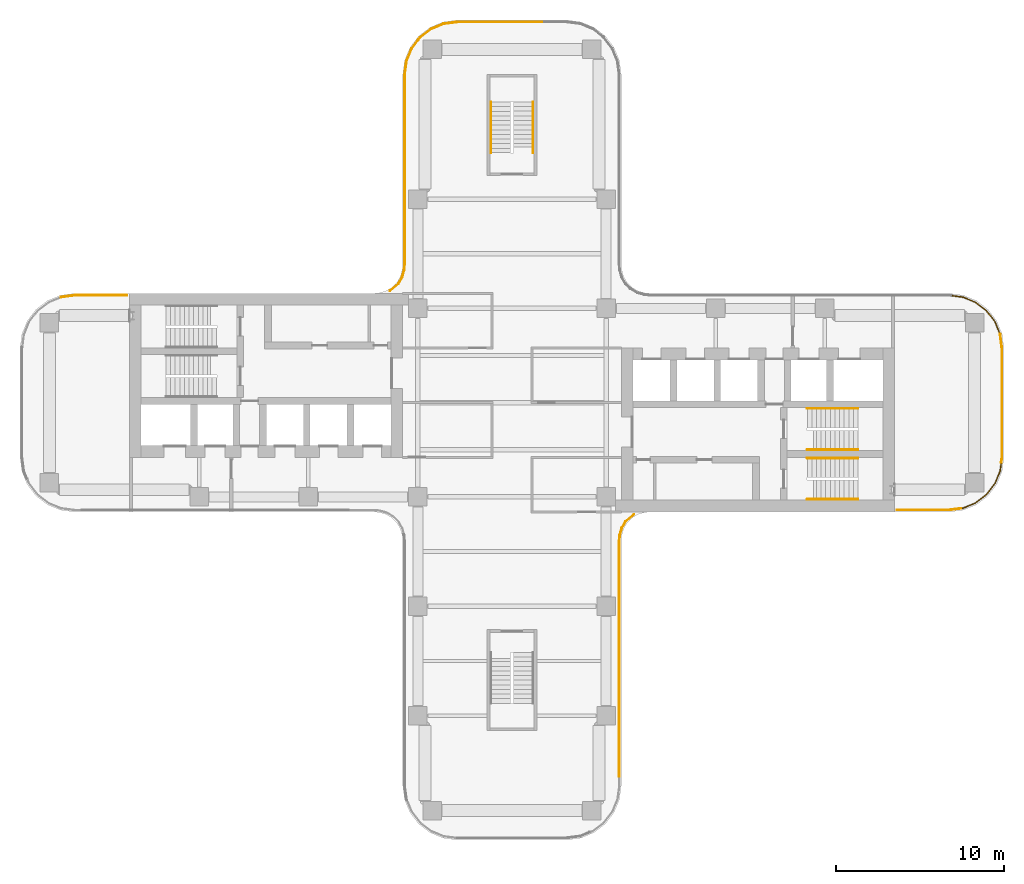
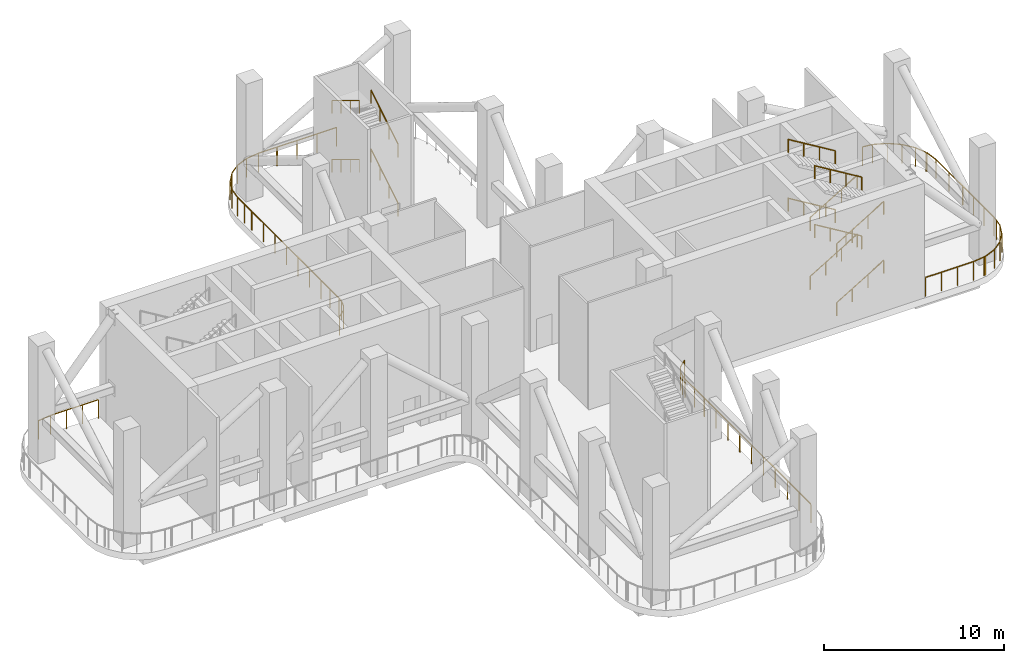
# One storey, part 10 of 11: 28 railings.
"""IFC4 building model written with IfcOpenShell, lengths in metres."""

from ifc_helpers import new_model, si_unit, direction, frame, origin, origin_2d, place, context, subcontext, project, spatial, rectangle, circle, extrude, source, transform, mapped, material, type_object, element, save


model = new_model("IFC4")

# Units and contexts
model_context = context("Model", 3, precision=1e-05, world=origin(), true_north=direction((0.0, 1.0)))
body_context = subcontext(model_context, "Body", "Model", "MODEL_VIEW")
ifc_project = project(units=[si_unit("LENGTHUNIT", "METRE"), si_unit("AREAUNIT", "SQUARE_METRE"), si_unit("VOLUMEUNIT", "CUBIC_METRE"), si_unit("PLANEANGLEUNIT", "RADIAN"), si_unit("MASSUNIT", "GRAM", prefix="KILO")], contexts=[model_context])

# Site, building, storey
site_placement = place(None, origin())
site = spatial("IfcSite", under=ifc_project, at=site_placement, CompositionType="ELEMENT")
building_placement = place(site_placement, origin())
building = spatial("IfcBuilding", under=site, at=building_placement, Name="Trellis Farm Tower", CompositionType="ELEMENT")
storey_placement = place(building_placement, frame((0.0, 0.0, 212.699951171875)))
storey = spatial("IfcBuildingStorey", under=building, at=storey_placement, Name="L47", CompositionType="ELEMENT", Elevation=212.699951171875)

# Railings
ifc_material_1 = material(Name="Stainless steel 316", Category="steel")
railing_type_1 = type_object("IfcRailingType", Name="BALUSTRADE GUARD 1300", PredefinedType="GUARDRAIL", material=ifc_material_1)
railing_1_placement = place(storey_placement, frame((-7.245361328125, 6.64990234375, 0.0)))
element("IfcRailing", 1, at=railing_1_placement, inside=storey, type_object=railing_type_1, Name="GD3 EDGE-1", PredefinedType="GUARDRAIL", context=body_context, shape_type="SweptSolid", body=[
    extrude(rectangle(XDim=0.050048828125, YDim=0.050048828125, at=origin_2d()), frame((0.0, 0.0, 1.27490234375), z_axis=(0.761614428035, 0.648030449138, 0.0), x_axis=(-0.648030449138, 0.761614428035, 0.0)), (0.0, 0.0, 1.0), 0.649169921875),
    extrude(rectangle(XDim=0.050048828125, YDim=0.050048828125, at=origin_2d()), frame((0.494384765625, 0.420654296875, 1.27490234375), z_axis=(0.499971721724, 0.866041729639, 0.0), x_axis=(-0.866041729639, 0.499971721724, 0.0)), (0.0, 0.0, 1.0), 0.4521484375),
    extrude(rectangle(XDim=0.050048828125, YDim=0.050048828125, at=origin_2d()), frame((0.720458984375, 0.812255859375, 1.27490234375), z_axis=(0.258891443638, 0.965906424252, 0.0), x_axis=(-0.965906424252, 0.258891443638, 0.0)), (0.0, 0.0, 1.0), 0.445068359375),
    extrude(rectangle(XDim=0.050048828125, YDim=0.050048828125, at=origin_2d()), frame((0.835693359375, 1.2421875, 1.27490234375), z_axis=(0.088443887633, 0.99608116072, 0.0), x_axis=(-0.99608116072, 0.088443887633, 0.0)), (0.0, 0.0, 1.0), 0.336669921875),
    extrude(rectangle(XDim=0.050048828125, YDim=0.050048828125, at=origin_2d()), frame((0.865478515625, 1.57763671875, 1.27490234375), z_axis=(0.0, 1.0, 0.0), x_axis=(-1.0, 0.0, 0.0)), (0.0, 0.0, 1.0), 1.965576171875),
    extrude(rectangle(XDim=0.0400390625, YDim=0.0400390625, at=origin_2d()), origin(), (0.0, 0.0, 1.0), 1.25),
    extrude(rectangle(XDim=0.0400390625, YDim=0.0400390625, at=origin_2d()), frame((0.494384765625, 0.420654296875, 0.0)), (0.0, 0.0, 1.0), 1.25),
    extrude(rectangle(XDim=0.0400390625, YDim=0.0400390625, at=origin_2d()), frame((0.720458984375, 0.812255859375, 0.0)), (0.0, 0.0, 1.0), 1.25),
    extrude(rectangle(XDim=0.0400390625, YDim=0.0400390625, at=origin_2d()), frame((0.835693359375, 1.2421875, 0.0)), (0.0, 0.0, 1.0), 1.25),
    extrude(rectangle(XDim=0.0400390625, YDim=0.0400390625, at=origin_2d()), frame((0.865478515625, 1.57763671875, 0.0)), (0.0, 0.0, 1.0), 1.25),
    extrude(rectangle(XDim=0.0400390625, YDim=0.0400390625, at=origin_2d()), frame((0.865478515625, 2.560546875, 0.0)), (0.0, 0.0, 1.0), 1.25),
    extrude(rectangle(XDim=0.0400390625, YDim=0.0400390625, at=origin_2d()), frame((0.865478515625, 3.543212890625, 0.0)), (0.0, 0.0, 1.0), 1.25),
])
railing_2_placement = place(storey_placement, frame((-6.3798828125, 14.0869140625, 0.0)))
element("IfcRailing", 2, at=railing_2_placement, inside=storey, type_object=railing_type_1, Name="GD3 EDGE-3", PredefinedType="GUARDRAIL", context=body_context, shape_type="SweptSolid", body=[
    extrude(rectangle(XDim=0.050048828125, YDim=0.050048828125, at=origin_2d()), frame((0.0, 0.0, 1.27490234375), z_axis=(0.0, 1.0, 0.0), x_axis=(-1.0, 0.0, 0.0)), (0.0, 0.0, 1.0), 3.803955078125),
    extrude(rectangle(XDim=0.0400390625, YDim=0.0400390625, at=origin_2d()), origin(), (0.0, 0.0, 1.0), 1.25),
    extrude(rectangle(XDim=0.0400390625, YDim=0.0400390625, at=origin_2d()), frame((0.0, 1.26806640625, 0.0)), (0.0, 0.0, 1.0), 1.25),
    extrude(rectangle(XDim=0.0400390625, YDim=0.0400390625, at=origin_2d()), frame((0.0, 2.535888671875, 0.0)), (0.0, 0.0, 1.0), 1.25),
    extrude(rectangle(XDim=0.0400390625, YDim=0.0400390625, at=origin_2d()), frame((0.0, 3.803955078125, 0.0)), (0.0, 0.0, 1.0), 1.25),
])
railing_3_placement = place(storey_placement, frame((-6.3798828125, 17.935791015625, 0.0)))
element("IfcRailing", 3, at=railing_3_placement, inside=storey, type_object=railing_type_1, Name="GD3 EDGE-4", PredefinedType="GUARDRAIL", context=body_context, shape_type="SweptSolid", body=[
    extrude(rectangle(XDim=0.050048828125, YDim=0.050048828125, at=origin_2d()), frame((0.0, 0.0, 1.27490234375), z_axis=(0.0, 1.0, 0.0), x_axis=(-1.0, 0.0, 0.0)), (0.0, 0.0, 1.0), 1.556396484375),
    extrude(rectangle(XDim=0.050048828125, YDim=0.050048828125, at=origin_2d()), frame((0.0, 1.556396484375, 1.27490234375), z_axis=(0.130554065513, 0.991441191387, 0.0), x_axis=(-0.991441191387, 0.130554065513, 0.0)), (0.0, 0.0, 1.0), 0.82470703125),
    extrude(rectangle(XDim=0.050048828125, YDim=0.050048828125, at=origin_2d()), frame((0.107666015625, 2.3740234375, 1.27490234375), z_axis=(0.382598185958, 0.923914838122, 0.0), x_axis=(-0.923914838122, 0.382598185958, 0.0)), (0.0, 0.0, 1.0), 0.81689453125),
    extrude(rectangle(XDim=0.050048828125, YDim=0.050048828125, at=origin_2d()), frame((0.420166015625, 3.128662109375, 1.27490234375), z_axis=(0.608795197289, 0.793327427837, 0.0), x_axis=(-0.793327427837, 0.608795197289, 0.0)), (0.0, 0.0, 1.0), 0.60595703125),
    extrude(rectangle(XDim=0.0400390625, YDim=0.0400390625, at=origin_2d()), origin(), (0.0, 0.0, 1.0), 1.25),
    extrude(rectangle(XDim=0.0400390625, YDim=0.0400390625, at=origin_2d()), frame((0.0, 0.7783203125, 0.0)), (0.0, 0.0, 1.0), 1.25),
    extrude(rectangle(XDim=0.0400390625, YDim=0.0400390625, at=origin_2d()), frame((0.0, 1.556396484375, 0.0)), (0.0, 0.0, 1.0), 1.25),
    extrude(rectangle(XDim=0.0400390625, YDim=0.0400390625, at=origin_2d()), frame((0.107666015625, 2.3740234375, 0.0)), (0.0, 0.0, 1.0), 1.25),
    extrude(rectangle(XDim=0.0400390625, YDim=0.0400390625, at=origin_2d()), frame((0.420166015625, 3.128662109375, 0.0)), (0.0, 0.0, 1.0), 1.25),
    extrude(rectangle(XDim=0.0400390625, YDim=0.0400390625, at=origin_2d()), frame((0.7890625, 3.609375, 0.0)), (0.0, 0.0, 1.0), 1.25),
])
railing_4_placement = place(storey_placement, frame((-5.5634765625, 21.580810546875, 0.0)))
element("IfcRailing", 4, at=railing_4_placement, inside=storey, type_object=railing_type_1, Name="GD3 EDGE-5", PredefinedType="GUARDRAIL", context=body_context, shape_type="SweptSolid", body=[
    extrude(rectangle(XDim=0.050048828125, YDim=0.050048828125, at=origin_2d()), frame((0.0, 0.0, 1.27490234375), z_axis=(0.609141752095, 0.793061363234, 0.0), x_axis=(-0.793061363234, 0.609141752095, 0.0)), (0.0, 0.0, 1.0), 0.166015625),
    extrude(rectangle(XDim=0.050048828125, YDim=0.050048828125, at=origin_2d()), frame((0.10107421875, 0.131591796875, 1.27490234375), z_axis=(0.793279109615, 0.608858156099, 0.0), x_axis=(-0.608858156099, 0.793279109615, 0.0)), (0.0, 0.0, 1.0), 0.81689453125),
    extrude(rectangle(XDim=0.050048828125, YDim=0.050048828125, at=origin_2d()), frame((0.7490234375, 0.62890625, 1.27490234375), z_axis=(0.923914838122, 0.382598185958, 0.0), x_axis=(-0.382598185958, 0.923914838122, 0.0)), (0.0, 0.0, 1.0), 0.81689453125),
    extrude(rectangle(XDim=0.050048828125, YDim=0.050048828125, at=origin_2d()), frame((1.503662109375, 0.94140625, 1.27490234375), z_axis=(0.991441191387, 0.130554065513, 0.0), x_axis=(-0.130554065513, 0.991441191387, 0.0)), (0.0, 0.0, 1.0), 0.82470703125),
    extrude(rectangle(XDim=0.050048828125, YDim=0.050048828125, at=origin_2d()), frame((2.3212890625, 1.049072265625, 1.27490234375), z_axis=(1.0, 0.0, 0.0), x_axis=(0.0, 1.0, 0.0)), (0.0, 0.0, 1.0), 1.179443359375),
    extrude(rectangle(XDim=0.0400390625, YDim=0.0400390625, at=origin_2d()), origin(), (0.0, 0.0, 1.0), 1.25),
    extrude(rectangle(XDim=0.0400390625, YDim=0.0400390625, at=origin_2d()), frame((0.10107421875, 0.131591796875, 0.0)), (0.0, 0.0, 1.0), 1.25),
    extrude(rectangle(XDim=0.0400390625, YDim=0.0400390625, at=origin_2d()), frame((0.7490234375, 0.62890625, 0.0)), (0.0, 0.0, 1.0), 1.25),
    extrude(rectangle(XDim=0.0400390625, YDim=0.0400390625, at=origin_2d()), frame((1.503662109375, 0.94140625, 0.0)), (0.0, 0.0, 1.0), 1.25),
    extrude(rectangle(XDim=0.0400390625, YDim=0.0400390625, at=origin_2d()), frame((2.3212890625, 1.049072265625, 0.0)), (0.0, 0.0, 1.0), 1.25),
    extrude(rectangle(XDim=0.0400390625, YDim=0.0400390625, at=origin_2d()), frame((3.500732421875, 1.049072265625, 0.0)), (0.0, 0.0, 1.0), 1.25),
])
railing_5_placement = place(storey_placement, frame((26.201416015625, 6.352294921875, 0.0)))
element("IfcRailing", 5, at=railing_5_placement, inside=storey, type_object=railing_type_1, Name="GD3 EDGE-17", PredefinedType="GUARDRAIL", context=body_context, shape_type="SweptSolid", body=[
    extrude(rectangle(XDim=0.050048828125, YDim=0.050048828125, at=origin_2d()), frame((0.0, 0.0, 1.27490234375), z_axis=(0.991448878041, -0.130495678972, 0.0), x_axis=(0.130495678972, 0.991448878041, 0.0)), (0.0, 0.0, 1.0), 0.613525390625),
    extrude(rectangle(XDim=0.050048828125, YDim=0.050048828125, at=origin_2d()), frame((0.6083984375, -0.080078125, 1.27490234375), z_axis=(0.923914838122, -0.382598185958, 0.0), x_axis=(0.382598185958, 0.923914838122, 0.0)), (0.0, 0.0, 1.0), 0.81689453125),
    extrude(rectangle(XDim=0.050048828125, YDim=0.050048828125, at=origin_2d()), frame((1.363037109375, -0.392578125, 1.27490234375), z_axis=(0.793279109615, -0.608858156099, 0.0), x_axis=(0.608858156099, 0.793279109615, 0.0)), (0.0, 0.0, 1.0), 0.81689453125),
    extrude(rectangle(XDim=0.050048828125, YDim=0.050048828125, at=origin_2d()), frame((2.010986328125, -0.889892578125, 1.27490234375), z_axis=(0.608858156099, -0.793279109615, 0.0), x_axis=(0.793279109615, 0.608858156099, 0.0)), (0.0, 0.0, 1.0), 0.81689453125),
    extrude(rectangle(XDim=0.050048828125, YDim=0.050048828125, at=origin_2d()), frame((2.50830078125, -1.537841796875, 1.27490234375), z_axis=(0.382575304994, -0.923924312922, 0.0), x_axis=(0.923924312922, 0.382575304994, 0.0)), (0.0, 0.0, 1.0), 0.739501953125),
    extrude(rectangle(XDim=0.0400390625, YDim=0.0400390625, at=origin_2d()), origin(), (0.0, 0.0, 1.0), 1.25),
    extrude(rectangle(XDim=0.0400390625, YDim=0.0400390625, at=origin_2d()), frame((0.6083984375, -0.080078125, 0.0)), (0.0, 0.0, 1.0), 1.25),
    extrude(rectangle(XDim=0.0400390625, YDim=0.0400390625, at=origin_2d()), frame((1.363037109375, -0.392578125, 0.0)), (0.0, 0.0, 1.0), 1.25),
    extrude(rectangle(XDim=0.0400390625, YDim=0.0400390625, at=origin_2d()), frame((2.010986328125, -0.889892578125, 0.0)), (0.0, 0.0, 1.0), 1.25),
    extrude(rectangle(XDim=0.0400390625, YDim=0.0400390625, at=origin_2d()), frame((2.50830078125, -1.537841796875, 0.0)), (0.0, 0.0, 1.0), 1.25),
    extrude(rectangle(XDim=0.0400390625, YDim=0.0400390625, at=origin_2d()), frame((2.791259765625, -2.22119140625, 0.0)), (0.0, 0.0, 1.0), 1.25),
])
railing_6_placement = place(storey_placement, frame((29.010009765625, 4.089599609375, 0.0)))
element("IfcRailing", 6, at=railing_6_placement, inside=storey, type_object=railing_type_1, Name="GD3 EDGE-18", PredefinedType="GUARDRAIL", context=body_context, shape_type="SweptSolid", body=[
    extrude(rectangle(XDim=0.050048828125, YDim=0.050048828125, at=origin_2d()), frame((0.0, 0.0, 1.27490234375), z_axis=(0.379223417484, -0.925305138661, 0.0), x_axis=(0.925305138661, 0.379223417484, 0.0)), (0.0, 0.0, 1.0), 0.0322265625),
    extrude(rectangle(XDim=0.050048828125, YDim=0.050048828125, at=origin_2d()), frame((0.01220703125, -0.02978515625, 1.27490234375), z_axis=(0.130554065513, -0.991441191387, 0.0), x_axis=(0.991441191387, 0.130554065513, 0.0)), (0.0, 0.0, 1.0), 0.82470703125),
    extrude(rectangle(XDim=0.050048828125, YDim=0.050048828125, at=origin_2d()), frame((0.119873046875, -0.847412109375, 1.27490234375), z_axis=(0.0, -1.0, 0.0), x_axis=(1.0, 0.0, 0.0)), (0.0, 0.0, 1.0), 2.94677734375),
    extrude(rectangle(XDim=0.0400390625, YDim=0.0400390625, at=origin_2d()), origin(), (0.0, 0.0, 1.0), 1.25),
    extrude(rectangle(XDim=0.0400390625, YDim=0.0400390625, at=origin_2d()), frame((0.01220703125, -0.02978515625, 0.0)), (0.0, 0.0, 1.0), 1.25),
    extrude(rectangle(XDim=0.0400390625, YDim=0.0400390625, at=origin_2d()), frame((0.119873046875, -0.847412109375, 0.0)), (0.0, 0.0, 1.0), 1.25),
    extrude(rectangle(XDim=0.0400390625, YDim=0.0400390625, at=origin_2d()), frame((0.119873046875, -2.32080078125, 0.0)), (0.0, 0.0, 1.0), 1.25),
    extrude(rectangle(XDim=0.0400390625, YDim=0.0400390625, at=origin_2d()), frame((0.119873046875, -3.794189453125, 0.0)), (0.0, 0.0, 1.0), 1.25),
])
railing_7_placement = place(storey_placement, frame((29.1298828125, 0.25048828125, 0.0)))
element("IfcRailing", 7, at=railing_7_placement, inside=storey, type_object=railing_type_1, Name="GD3 EDGE-19", PredefinedType="GUARDRAIL", context=body_context, shape_type="SweptSolid", body=[
    extrude(rectangle(XDim=0.050048828125, YDim=0.050048828125, at=origin_2d()), frame((0.0, 0.0, 1.27490234375), z_axis=(0.0, -1.0, 0.0), x_axis=(1.0, 0.0, 0.0)), (0.0, 0.0, 1.0), 3.49267578125),
    extrude(rectangle(XDim=0.050048828125, YDim=0.050048828125, at=origin_2d()), frame((0.0, -3.49267578125, 1.27490234375), z_axis=(-0.130211017761, -0.991486303916, 0.0), x_axis=(0.991486303916, -0.130211017761, 0.0)), (0.0, 0.0, 1.0), 0.311279296875),
    extrude(rectangle(XDim=0.0400390625, YDim=0.0400390625, at=origin_2d()), origin(), (0.0, 0.0, 1.0), 1.25),
    extrude(rectangle(XDim=0.0400390625, YDim=0.0400390625, at=origin_2d()), frame((0.0, -1.164306640625, 0.0)), (0.0, 0.0, 1.0), 1.25),
    extrude(rectangle(XDim=0.0400390625, YDim=0.0400390625, at=origin_2d()), frame((0.0, -2.328369140625, 0.0)), (0.0, 0.0, 1.0), 1.25),
    extrude(rectangle(XDim=0.0400390625, YDim=0.0400390625, at=origin_2d()), frame((0.0, -3.49267578125, 0.0)), (0.0, 0.0, 1.0), 1.25),
    extrude(rectangle(XDim=0.0400390625, YDim=0.0400390625, at=origin_2d()), frame((-0.04052734375, -3.80126953125, 0.0)), (0.0, 0.0, 1.0), 1.25),
])
railing_8_placement = place(storey_placement, frame((29.08349609375, -3.595458984375, 0.0)))
element("IfcRailing", 8, at=railing_8_placement, inside=storey, type_object=railing_type_1, Name="GD3 EDGE-20", PredefinedType="GUARDRAIL", context=body_context, shape_type="SweptSolid", body=[
    extrude(rectangle(XDim=0.050048828125, YDim=0.050048828125, at=origin_2d()), frame((0.0, 0.0, 1.27490234375), z_axis=(-0.130832040727, -0.991404547659, 0.0), x_axis=(0.991404547659, -0.130832040727, 0.0)), (0.0, 0.0, 1.0), 0.46826171875),
    extrude(rectangle(XDim=0.050048828125, YDim=0.050048828125, at=origin_2d()), frame((-0.061279296875, -0.46435546875, 1.27490234375), z_axis=(-0.382598185958, -0.923914838122, 0.0), x_axis=(0.923914838122, -0.382598185958, 0.0)), (0.0, 0.0, 1.0), 0.81689453125),
    extrude(rectangle(XDim=0.050048828125, YDim=0.050048828125, at=origin_2d()), frame((-0.373779296875, -1.218994140625, 1.27490234375), z_axis=(-0.608858156099, -0.793279109615, 0.0), x_axis=(0.793279109615, -0.608858156099, 0.0)), (0.0, 0.0, 1.0), 0.81689453125),
    extrude(rectangle(XDim=0.050048828125, YDim=0.050048828125, at=origin_2d()), frame((-0.87109375, -1.866943359375, 1.27490234375), z_axis=(-0.793279109615, -0.608858156099, 0.0), x_axis=(0.608858156099, -0.793279109615, 0.0)), (0.0, 0.0, 1.0), 0.81689453125),
    extrude(rectangle(XDim=0.050048828125, YDim=0.050048828125, at=origin_2d()), frame((-1.51904296875, -2.3642578125, 1.27490234375), z_axis=(-0.923914838122, -0.382598185958, 0.0), x_axis=(0.382598185958, -0.923914838122, 0.0)), (0.0, 0.0, 1.0), 0.81689453125),
    extrude(rectangle(XDim=0.050048828125, YDim=0.050048828125, at=origin_2d()), frame((-2.273681640625, -2.6767578125, 1.27490234375), z_axis=(-0.991196621205, -0.132398104638, 0.0), x_axis=(0.132398104638, -0.991196621205, 0.0)), (0.0, 0.0, 1.0), 0.068115234375),
    extrude(rectangle(XDim=0.0400390625, YDim=0.0400390625, at=origin_2d()), origin(), (0.0, 0.0, 1.0), 1.25),
    extrude(rectangle(XDim=0.0400390625, YDim=0.0400390625, at=origin_2d()), frame((-0.061279296875, -0.46435546875, 0.0)), (0.0, 0.0, 1.0), 1.25),
    extrude(rectangle(XDim=0.0400390625, YDim=0.0400390625, at=origin_2d()), frame((-0.373779296875, -1.218994140625, 0.0)), (0.0, 0.0, 1.0), 1.25),
    extrude(rectangle(XDim=0.0400390625, YDim=0.0400390625, at=origin_2d()), frame((-0.87109375, -1.866943359375, 0.0)), (0.0, 0.0, 1.0), 1.25),
    extrude(rectangle(XDim=0.0400390625, YDim=0.0400390625, at=origin_2d()), frame((-1.51904296875, -2.3642578125, 0.0)), (0.0, 0.0, 1.0), 1.25),
    extrude(rectangle(XDim=0.0400390625, YDim=0.0400390625, at=origin_2d()), frame((-2.273681640625, -2.6767578125, 0.0)), (0.0, 0.0, 1.0), 1.25),
    extrude(rectangle(XDim=0.0400390625, YDim=0.0400390625, at=origin_2d()), frame((-2.34130859375, -2.685791015625, 0.0)), (0.0, 0.0, 1.0), 1.25),
])
railing_9_placement = place(storey_placement, frame((26.69775390625, -6.287109375, 0.0)))
element("IfcRailing", 9, at=railing_9_placement, inside=storey, type_object=railing_type_1, Name="GD3 EDGE-21", PredefinedType="GUARDRAIL", context=body_context, shape_type="SweptSolid", body=[
    extrude(rectangle(XDim=0.050048828125, YDim=0.050048828125, at=origin_2d()), frame((0.0, 0.0, 1.27490234375), z_axis=(-0.991465968487, -0.130365767483, 0.0), x_axis=(0.130365767483, -0.991465968487, 0.0)), (0.0, 0.0, 1.0), 0.711669921875),
    extrude(rectangle(XDim=0.050048828125, YDim=0.050048828125, at=origin_2d()), frame((-0.70556640625, -0.0927734375, 1.27490234375), z_axis=(-1.0, 0.0, 0.0), x_axis=(0.0, -1.0, 0.0)), (0.0, 0.0, 1.0), 3.09228515625),
    extrude(rectangle(XDim=0.0400390625, YDim=0.0400390625, at=origin_2d()), origin(), (0.0, 0.0, 1.0), 1.25),
    extrude(rectangle(XDim=0.0400390625, YDim=0.0400390625, at=origin_2d()), frame((-0.70556640625, -0.0927734375, 0.0)), (0.0, 0.0, 1.0), 1.25),
    extrude(rectangle(XDim=0.0400390625, YDim=0.0400390625, at=origin_2d()), frame((-1.736328125, -0.0927734375, 0.0)), (0.0, 0.0, 1.0), 1.25),
    extrude(rectangle(XDim=0.0400390625, YDim=0.0400390625, at=origin_2d()), frame((-2.76708984375, -0.0927734375, 0.0)), (0.0, 0.0, 1.0), 1.25),
    extrude(rectangle(XDim=0.0400390625, YDim=0.0400390625, at=origin_2d()), frame((-3.7978515625, -0.0927734375, 0.0)), (0.0, 0.0, 1.0), 1.25),
])
railing_10_placement = place(storey_placement, frame((7.245361328125, -6.64990234375, 0.0)))
element("IfcRailing", 10, at=railing_10_placement, inside=storey, type_object=railing_type_1, Name="GD3 EDGE-22", PredefinedType="GUARDRAIL", context=body_context, shape_type="SweptSolid", body=[
    extrude(rectangle(XDim=0.050048828125, YDim=0.050048828125, at=origin_2d()), frame((0.0, 0.0, 1.27490234375), z_axis=(-0.761614428035, -0.648030449138, 0.0), x_axis=(0.648030449138, -0.761614428035, 0.0)), (0.0, 0.0, 1.0), 0.649169921875),
    extrude(rectangle(XDim=0.050048828125, YDim=0.050048828125, at=origin_2d()), frame((-0.494384765625, -0.420654296875, 1.27490234375), z_axis=(-0.499971721724, -0.866041729639, 0.0), x_axis=(0.866041729639, -0.499971721724, 0.0)), (0.0, 0.0, 1.0), 0.4521484375),
    extrude(rectangle(XDim=0.050048828125, YDim=0.050048828125, at=origin_2d()), frame((-0.720458984375, -0.812255859375, 1.27490234375), z_axis=(-0.258891443638, -0.965906424252, 0.0), x_axis=(0.965906424252, -0.258891443638, 0.0)), (0.0, 0.0, 1.0), 0.445068359375),
    extrude(rectangle(XDim=0.050048828125, YDim=0.050048828125, at=origin_2d()), frame((-0.835693359375, -1.2421875, 1.27490234375), z_axis=(-0.088443887633, -0.99608116072, 0.0), x_axis=(0.99608116072, -0.088443887633, 0.0)), (0.0, 0.0, 1.0), 0.336669921875),
    extrude(rectangle(XDim=0.050048828125, YDim=0.050048828125, at=origin_2d()), frame((-0.865478515625, -1.57763671875, 1.27490234375), z_axis=(0.0, -1.0, 0.0), x_axis=(1.0, 0.0, 0.0)), (0.0, 0.0, 1.0), 2.086181640625),
    extrude(rectangle(XDim=0.0400390625, YDim=0.0400390625, at=origin_2d()), origin(), (0.0, 0.0, 1.0), 1.25),
    extrude(rectangle(XDim=0.0400390625, YDim=0.0400390625, at=origin_2d()), frame((-0.494384765625, -0.420654296875, 0.0)), (0.0, 0.0, 1.0), 1.25),
    extrude(rectangle(XDim=0.0400390625, YDim=0.0400390625, at=origin_2d()), frame((-0.720458984375, -0.812255859375, 0.0)), (0.0, 0.0, 1.0), 1.25),
    extrude(rectangle(XDim=0.0400390625, YDim=0.0400390625, at=origin_2d()), frame((-0.835693359375, -1.2421875, 0.0)), (0.0, 0.0, 1.0), 1.25),
    extrude(rectangle(XDim=0.0400390625, YDim=0.0400390625, at=origin_2d()), frame((-0.865478515625, -1.57763671875, 0.0)), (0.0, 0.0, 1.0), 1.25),
    extrude(rectangle(XDim=0.0400390625, YDim=0.0400390625, at=origin_2d()), frame((-0.865478515625, -2.62060546875, 0.0)), (0.0, 0.0, 1.0), 1.25),
    extrude(rectangle(XDim=0.0400390625, YDim=0.0400390625, at=origin_2d()), frame((-0.865478515625, -3.663818359375, 0.0)), (0.0, 0.0, 1.0), 1.25),
])
railing_11_placement = place(storey_placement, frame((-26.816650390625, 6.269287109375, 0.0)))
element("IfcRailing", 11, at=railing_11_placement, inside=storey, type_object=railing_type_1, Name="GD3 EDGE-43", PredefinedType="GUARDRAIL", context=body_context, shape_type="SweptSolid", body=[
    extrude(rectangle(XDim=0.050048828125, YDim=0.050048828125, at=origin_2d()), frame((0.0, 0.0, 1.27490234375), z_axis=(0.919145030018, 0.393919298579, 0.0), x_axis=(-0.393919298579, 0.919145030018, 0.0)), (0.0, 0.0, 1.0), 0.00732421875),
    extrude(rectangle(XDim=0.050048828125, YDim=0.050048828125, at=origin_2d()), frame((0.0068359375, 0.0029296875, 1.27490234375), z_axis=(0.991441191387, 0.130554065513, 0.0), x_axis=(-0.130554065513, 0.991441191387, 0.0)), (0.0, 0.0, 1.0), 0.82470703125),
    extrude(rectangle(XDim=0.050048828125, YDim=0.050048828125, at=origin_2d()), frame((0.824462890625, 0.110595703125, 1.27490234375), z_axis=(1.0, 0.0, 0.0), x_axis=(0.0, 1.0, 0.0)), (0.0, 0.0, 1.0), 3.09228515625),
    extrude(rectangle(XDim=0.0400390625, YDim=0.0400390625, at=origin_2d()), origin(), (0.0, 0.0, 1.0), 1.25),
    extrude(rectangle(XDim=0.0400390625, YDim=0.0400390625, at=origin_2d()), frame((0.0068359375, 0.0029296875, 0.0)), (0.0, 0.0, 1.0), 1.25),
    extrude(rectangle(XDim=0.0400390625, YDim=0.0400390625, at=origin_2d()), frame((0.824462890625, 0.110595703125, 0.0)), (0.0, 0.0, 1.0), 1.25),
    extrude(rectangle(XDim=0.0400390625, YDim=0.0400390625, at=origin_2d()), frame((1.855224609375, 0.110595703125, 0.0)), (0.0, 0.0, 1.0), 1.25),
    extrude(rectangle(XDim=0.0400390625, YDim=0.0400390625, at=origin_2d()), frame((2.885986328125, 0.110595703125, 0.0)), (0.0, 0.0, 1.0), 1.25),
    extrude(rectangle(XDim=0.0400390625, YDim=0.0400390625, at=origin_2d()), frame((3.916748046875, 0.110595703125, 0.0)), (0.0, 0.0, 1.0), 1.25),
])
ifc_material_2 = material(Name="Stainless steel", Category="steel")
railing_type_2 = type_object("IfcRailingType", Name="STAIR HANDRAIL 900", PredefinedType="HANDRAIL", material=ifc_material_2)
shared_shape_1 = source(origin(), body_context, "Body", "SweptSolid", [
    extrude(circle(Radius=0.02392578125, at=origin_2d()), frame((0.0, 0.0, 0.8759765625), z_axis=(0.0, 0.855200612876, 0.518297126884), x_axis=(-1.0, 0.0, 0.0)), (0.0, 0.0, 1.0), 3.537109375),
    extrude(circle(Radius=0.02099609375, at=origin_2d()), origin(), (0.0, 0.0, 1.0), 0.851806640625),
    extrude(circle(Radius=0.02099609375, at=origin_2d()), frame((0.0, 1.00830078125, 0.611083984375)), (0.0, 0.0, 1.0), 0.851806640625),
    extrude(circle(Radius=0.02099609375, at=origin_2d()), frame((0.0, 2.0166015625, 1.22216796875)), (0.0, 0.0, 1.0), 0.851806640625),
    extrude(circle(Radius=0.02099609375, at=origin_2d()), frame((0.0, 3.02490234375, 1.833251953125)), (0.0, 0.0, 1.0), 0.851806640625),
])
for number, where, name in (
    (12, (1.25, 14.85009765625, 0.166748046875), "Stair handrail"),
    (13, (1.25, 14.85009765625, 4.166748046875), "Stair handrail"),
):
    element("IfcRailing", number, at=place(storey_placement, frame(where)), inside=storey, type_object=railing_type_2, Name=name, PredefinedType="HANDRAIL", context=body_context, shape_type="MappedRepresentation", body=[
        mapped(shared_shape_1, transform((0.0, 0.0, 0.0))),
    ])
shared_shape_2 = source(origin(), body_context, "Body", "SweptSolid", [
    extrude(circle(Radius=0.02392578125, at=origin_2d()), frame((0.0, 0.0, 0.8759765625), z_axis=(0.0, -0.855200612876, 0.518297126884), x_axis=(1.0, 0.0, 0.0)), (0.0, 0.0, 1.0), 3.537109375),
    extrude(circle(Radius=0.02099609375, at=origin_2d()), origin(), (0.0, 0.0, 1.0), 0.851806640625),
    extrude(circle(Radius=0.02099609375, at=origin_2d()), frame((0.0, -1.00830078125, 0.611083984375)), (0.0, 0.0, 1.0), 0.851806640625),
    extrude(circle(Radius=0.02099609375, at=origin_2d()), frame((0.0, -2.0166015625, 1.22216796875)), (0.0, 0.0, 1.0), 0.851806640625),
    extrude(circle(Radius=0.02099609375, at=origin_2d()), frame((0.0, -3.02490234375, 1.833251953125)), (0.0, 0.0, 1.0), 0.851806640625),
])
for number, where, name in (
    (14, (-1.25, 17.875, 2.166748046875), "Stair handrail"),
    (15, (-1.25, 17.875, 6.166748046875), "Stair handrail"),
):
    element("IfcRailing", number, at=place(storey_placement, frame(where)), inside=storey, type_object=railing_type_2, Name=name, PredefinedType="HANDRAIL", context=body_context, shape_type="MappedRepresentation", body=[
        mapped(shared_shape_2, transform((0.0, 0.0, 0.0))),
    ])
shared_shape_3 = source(origin(), body_context, "Body", "SweptSolid", [
    extrude(circle(Radius=0.02392578125, at=origin_2d()), frame((0.0, 0.0, 0.8759765625), z_axis=(0.855200612876, 0.0, 0.518297126884), x_axis=(0.0, 1.0, 0.0)), (0.0, 0.0, 1.0), 3.537109375),
    extrude(circle(Radius=0.02099609375, at=origin_2d()), origin(), (0.0, 0.0, 1.0), 0.851806640625),
    extrude(circle(Radius=0.02099609375, at=origin_2d()), frame((1.00830078125, 0.0, 0.611083984375)), (0.0, 0.0, 1.0), 0.851806640625),
    extrude(circle(Radius=0.02099609375, at=origin_2d()), frame((2.0166015625, 0.0, 1.22216796875)), (0.0, 0.0, 1.0), 0.851806640625),
    extrude(circle(Radius=0.02099609375, at=origin_2d()), frame((3.02490234375, 0.0, 1.833251953125)), (0.0, 0.0, 1.0), 0.851806640625),
])
for number, where, name in (
    (16, (17.550048828125, -5.75, 0.166748046875), "Stair handrail"),
    (17, (17.550048828125, -5.75, 4.166748046875), "Stair handrail"),
    (18, (17.550048828125, -2.800048828125, 0.166748046875), "Stair handrail"),
    (19, (17.550048828125, -2.800048828125, 4.166748046875), "Stair handrail"),
):
    element("IfcRailing", number, at=place(storey_placement, frame(where)), inside=storey, type_object=railing_type_2, Name=name, PredefinedType="HANDRAIL", context=body_context, shape_type="MappedRepresentation", body=[
        mapped(shared_shape_3, transform((0.0, 0.0, 0.0))),
    ])
shared_shape_4 = source(origin(), body_context, "Body", "SweptSolid", [
    extrude(circle(Radius=0.02392578125, at=origin_2d()), frame((0.0, 0.0, 0.8759765625), z_axis=(-0.855200612876, 0.0, 0.518297126884), x_axis=(0.0, -1.0, 0.0)), (0.0, 0.0, 1.0), 3.537109375),
    extrude(circle(Radius=0.02099609375, at=origin_2d()), origin(), (0.0, 0.0, 1.0), 0.851806640625),
    extrude(circle(Radius=0.02099609375, at=origin_2d()), frame((-1.00830078125, 0.0, 0.611083984375)), (0.0, 0.0, 1.0), 0.851806640625),
    extrude(circle(Radius=0.02099609375, at=origin_2d()), frame((-2.0166015625, 0.0, 1.22216796875)), (0.0, 0.0, 1.0), 0.851806640625),
    extrude(circle(Radius=0.02099609375, at=origin_2d()), frame((-3.02490234375, 0.0, 1.833251953125)), (0.0, 0.0, 1.0), 0.851806640625),
])
for number, where, name in (
    (20, (20.574951171875, -3.300048828125, 2.166748046875), "Stair handrail"),
    (21, (20.574951171875, -3.300048828125, 6.166748046875), "Stair handrail"),
    (22, (20.574951171875, -0.35009765625, 2.166748046875), "Stair handrail"),
    (23, (20.574951171875, -0.35009765625, 6.166748046875), "Stair handrail"),
):
    element("IfcRailing", number, at=place(storey_placement, frame(where)), inside=storey, type_object=railing_type_2, Name=name, PredefinedType="HANDRAIL", context=body_context, shape_type="MappedRepresentation", body=[
        mapped(shared_shape_4, transform((0.0, 0.0, 0.0))),
    ])
shared_shape_5 = source(origin(), body_context, "Body", "SweptSolid", [
    extrude(rectangle(XDim=0.050048828125, YDim=0.050048828125, at=origin_2d()), frame((0.0, 0.0, 1.27490234375), z_axis=(1.0, 0.0, 0.0), x_axis=(0.0, 1.0, 0.0)), (0.0, 0.0, 1.0), 3.8037109375),
    extrude(rectangle(XDim=0.0400390625, YDim=0.0400390625, at=origin_2d()), origin(), (0.0, 0.0, 1.0), 1.25),
    extrude(rectangle(XDim=0.0400390625, YDim=0.0400390625, at=origin_2d()), frame((1.267822265625, 0.0, 0.0)), (0.0, 0.0, 1.0), 1.25),
    extrude(rectangle(XDim=0.0400390625, YDim=0.0400390625, at=origin_2d()), frame((2.535888671875, 0.0, 0.0)), (0.0, 0.0, 1.0), 1.25),
    extrude(rectangle(XDim=0.0400390625, YDim=0.0400390625, at=origin_2d()), frame((3.8037109375, 0.0, 0.0)), (0.0, 0.0, 1.0), 1.25),
])
railing_12_placement = place(storey_placement, frame((-2.017578125, 22.6298828125, 0.0)))
element("IfcRailing", 24, at=railing_12_placement, inside=storey, type_object=railing_type_1, Name="GD3 EDGE-6", PredefinedType="GUARDRAIL", context=body_context, shape_type="MappedRepresentation", body=[
    mapped(shared_shape_5, transform((0.0, 0.0, 0.0))),
])
shared_shape_6 = source(origin(), body_context, "Body", "SweptSolid", [
    extrude(rectangle(XDim=0.050048828125, YDim=0.050048828125, at=origin_2d()), frame((0.0, 0.0, 1.27490234375), z_axis=(0.0, -1.0, 0.0), x_axis=(1.0, 0.0, 0.0)), (0.0, 0.0, 1.0), 3.92431640625),
    extrude(rectangle(XDim=0.0400390625, YDim=0.0400390625, at=origin_2d()), origin(), (0.0, 0.0, 1.0), 1.25),
    extrude(rectangle(XDim=0.0400390625, YDim=0.0400390625, at=origin_2d()), frame((0.0, -1.30810546875, 0.0)), (0.0, 0.0, 1.0), 1.25),
    extrude(rectangle(XDim=0.0400390625, YDim=0.0400390625, at=origin_2d()), frame((0.0, -2.6162109375, 0.0)), (0.0, 0.0, 1.0), 1.25),
    extrude(rectangle(XDim=0.0400390625, YDim=0.0400390625, at=origin_2d()), frame((0.0, -3.92431640625, 0.0)), (0.0, 0.0, 1.0), 1.25),
])
for number, where, name in (
    (25, (6.3798828125, -10.358642578125, 0.0), "GD3 EDGE-23"),
    (26, (6.3798828125, -14.327880859375, 0.0), "GD3 EDGE-24"),
    (27, (6.3798828125, -18.29736328125, 0.0), "GD3 EDGE-25"),
):
    element("IfcRailing", number, at=place(storey_placement, frame(where)), inside=storey, type_object=railing_type_1, Name=name, PredefinedType="GUARDRAIL", context=body_context, shape_type="MappedRepresentation", body=[
        mapped(shared_shape_6, transform((0.0, 0.0, 0.0))),
    ])
shared_shape_7 = source(origin(), body_context, "Body", "SweptSolid", [
    extrude(rectangle(XDim=0.050048828125, YDim=0.050048828125, at=origin_2d()), frame((0.0, 0.0, 1.27490234375), z_axis=(0.0, 1.0, 0.0), x_axis=(-1.0, 0.0, 0.0)), (0.0, 0.0, 1.0), 3.8037109375),
    extrude(rectangle(XDim=0.0400390625, YDim=0.0400390625, at=origin_2d()), origin(), (0.0, 0.0, 1.0), 1.25),
    extrude(rectangle(XDim=0.0400390625, YDim=0.0400390625, at=origin_2d()), frame((0.0, 1.267822265625, 0.0)), (0.0, 0.0, 1.0), 1.25),
    extrude(rectangle(XDim=0.0400390625, YDim=0.0400390625, at=origin_2d()), frame((0.0, 2.535888671875, 0.0)), (0.0, 0.0, 1.0), 1.25),
    extrude(rectangle(XDim=0.0400390625, YDim=0.0400390625, at=origin_2d()), frame((0.0, 3.8037109375, 0.0)), (0.0, 0.0, 1.0), 1.25),
])
railing_13_placement = place(storey_placement, frame((-6.3798828125, 10.23828125, 0.0)))
element("IfcRailing", 28, at=railing_13_placement, inside=storey, type_object=railing_type_1, Name="GD3 EDGE-2", PredefinedType="GUARDRAIL", context=body_context, shape_type="MappedRepresentation", body=[
    mapped(shared_shape_7, transform((0.0, 0.0, 0.0))),
])

save(model, "model.ifc")
